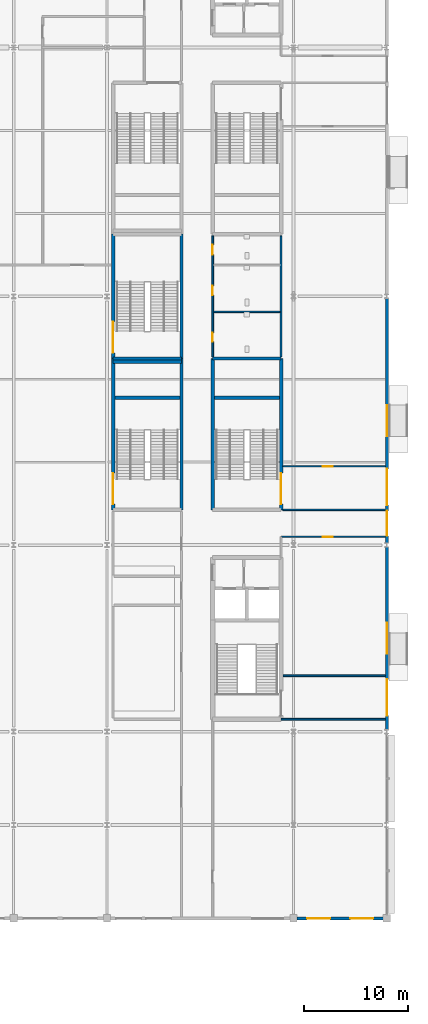
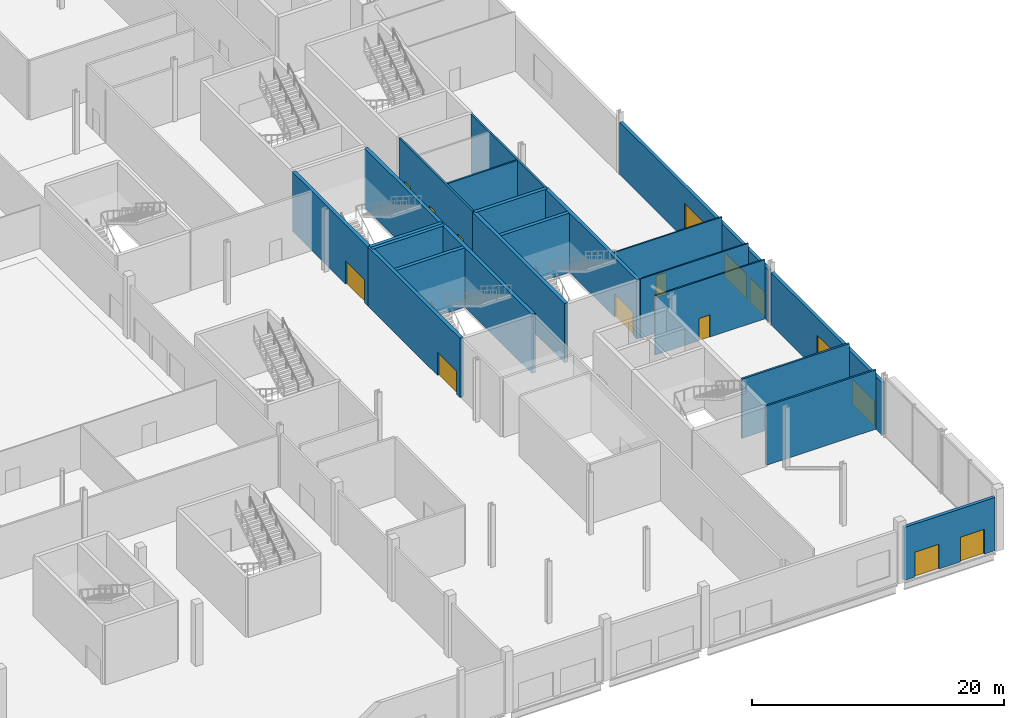
# One storey, part 40 of 84: 22 walls, 13 doors, 2 windows, 15 openings.
"""IFC4 building model written with IfcOpenShell, lengths in metres."""

import ifcopenshell
import ifcopenshell.guid

model = None  # the IFC model being written
_history = None  # IfcOwnerHistory: only IFC2X3 demands one
_inside = {}  # id of a spatial element -> (the spatial element, [elements in it])
_under = {}  # id of a project, library or spatial element -> (it, [spatial elements below it])
_declared = {}  # id of a project -> (the project, [libraries it declares])
_typed = {}  # id of a type object -> (the type object, [elements of that type])
_made_of = {}  # id of a material, layer set ... -> (it, [elements and type objects made of it])


def new_model(schema):
    """Start an empty IFC model of exactly this schema.

    Asked for "IFC4X3", IfcOpenShell would pick the latest addendum, in which some entities
    have other attributes; the version numbers below select the first issue.
    IFC2X3 requires an IfcOwnerHistory on every rooted entity: one is made here for all.
    """
    global model, _history
    if schema == "IFC4X3":
        model = ifcopenshell.file(schema_version=(4, 3, 0, 0))
    else:
        model = ifcopenshell.file(schema=schema)
    _inside.clear()
    _under.clear()
    _declared.clear()
    _typed.clear()
    _made_of.clear()
    _history = None
    if model.schema == "IFC2X3":
        org = make("IfcOrganization", Name="unknown")
        user = make(
            "IfcPersonAndOrganization",
            ThePerson=make("IfcPerson", FamilyName="unknown"),
            TheOrganization=org,
        )
        app = make(
            "IfcApplication",
            ApplicationDeveloper=org,
            Version="unknown",
            ApplicationFullName="unknown",
            ApplicationIdentifier="unknown",
        )
        _history = make(
            "IfcOwnerHistory",
            OwningUser=user,
            OwningApplication=app,
            ChangeAction="ADDED",
            CreationDate=0,
        )
    return model


def make(cls, **values):
    """One entity of the class cls with the attributes given. An attribute that is None is left unset."""
    return model.create_entity(
        cls, **{name: value for name, value in values.items() if value is not None}
    )


def rooted(cls, **values):
    """An entity with a GlobalId (a new one), such as an element, a storey or a relation."""
    return make(cls, GlobalId=ifcopenshell.guid.new(), OwnerHistory=_history, **values)


def si_unit(unit_type, name, prefix=None):
    """IfcSIUnit, for example si_unit("LENGTHUNIT", "METRE", prefix="MILLI")."""
    return make("IfcSIUnit", UnitType=unit_type, Prefix=prefix, Name=name)


def assignment(units):
    """IfcUnitAssignment: the units of a project."""
    return None if units is None else make("IfcUnitAssignment", Units=units)


def point(xyz):
    """IfcCartesianPoint."""
    return None if xyz is None else make("IfcCartesianPoint", Coordinates=xyz)


def direction(xyz):
    """IfcDirection."""
    return None if xyz is None else make("IfcDirection", DirectionRatios=xyz)


def frame(location, z_axis=None, x_axis=None):
    """IfcAxis2Placement3D, a coordinate frame: its origin and axes. An axis left out is left unset."""
    return make(
        "IfcAxis2Placement3D",
        Location=point(location),
        Axis=direction(z_axis),
        RefDirection=direction(x_axis),
    )


def frame_2d(location, x_axis=None):
    """IfcAxis2Placement2D, a coordinate frame in the plane: its origin and x axis."""
    return make(
        "IfcAxis2Placement2D", Location=point(location), RefDirection=direction(x_axis)
    )


def origin():
    """The frame at (0, 0, 0) with its axes left unset."""
    return frame((0.0, 0.0, 0.0))


def place(relative_to, where):
    """IfcLocalPlacement: puts the frame where relative to a parent placement (None: the world)."""
    return make(
        "IfcLocalPlacement", PlacementRelTo=relative_to, RelativePlacement=where
    )


def context(
    kind, dimensions, precision=None, world=None, true_north=None, identifier=None
):
    """IfcGeometricRepresentationContext, for example the 3D "Model" context."""
    return make(
        "IfcGeometricRepresentationContext",
        ContextIdentifier=identifier,
        ContextType=kind,
        CoordinateSpaceDimension=dimensions,
        Precision=precision,
        WorldCoordinateSystem=world,
        TrueNorth=true_north,
    )


def subcontext(parent, identifier, kind, view, scale=None):
    """IfcGeometricRepresentationSubContext, for example "Body" below "Model"."""
    return make(
        "IfcGeometricRepresentationSubContext",
        ContextIdentifier=identifier,
        ContextType=kind,
        ParentContext=parent,
        TargetScale=scale,
        TargetView=view,
    )


def project(units=None, contexts=None):
    """IfcProject with its units and contexts."""
    return rooted(
        "IfcProject",
        Name="project",
        RepresentationContexts=contexts,
        UnitsInContext=assignment(units),
    )


def spatial(cls, under=None, at=None, **own):
    """A site, building, storey or space (cls), placed at a placement, below another one or the project."""
    s = rooted(cls, ObjectPlacement=at, **own)
    if under is not None:
        _under.setdefault(under.id(), (under, []))[1].append(s)
    return s


def profile(cls, at=None, kind="AREA", **sizes):
    """A parametric profile (cls). Its sizes go by their IFC names, for example OverallWidth=200.0."""
    return make(cls, ProfileType=kind, Position=at, **sizes)


def rectangle(**sizes):
    """IfcRectangleProfileDef."""
    return profile("IfcRectangleProfileDef", **sizes)


def extrude(swept, where, along, depth):
    """IfcExtrudedAreaSolid: the profile swept, set in the frame where, extruded along a direction by depth."""
    return make(
        "IfcExtrudedAreaSolid",
        SweptArea=swept,
        Position=where,
        ExtrudedDirection=direction(along),
        Depth=depth,
    )


def shape(context_of_items, identifier, shape_type, items):
    """IfcShapeRepresentation: the items that make up one representation, for example the "Body"."""
    return make(
        "IfcShapeRepresentation",
        ContextOfItems=context_of_items,
        RepresentationIdentifier=identifier,
        RepresentationType=shape_type,
        Items=items,
    )


def material(Name=None, Category=None):
    """IfcMaterial."""
    return make("IfcMaterial", Name=Name, Category=Category)


def layer(
    of_material, thickness, ventilated=None, Name=None, Category=None, Priority=None
):
    """IfcMaterialLayer: one layer of a wall or slab, of a material (None: an air gap)."""
    return make(
        "IfcMaterialLayer",
        Material=of_material,
        LayerThickness=thickness,
        IsVentilated=ventilated,
        Name=Name,
        Category=Category,
        Priority=Priority,
    )


def layer_set(layers, Name=None):
    """IfcMaterialLayerSet."""
    return make("IfcMaterialLayerSet", MaterialLayers=layers, LayerSetName=Name)


def made_of(thing, what):
    """Note that an element or type object is made of a material, layer set ...; save() writes the relation."""
    if what is not None:
        _made_of.setdefault(what.id(), (what, []))[1].append(thing)
    return thing


def type_object(cls, material=None, **own):
    """A type object (cls), such as IfcWallType, which elements share."""
    return made_of(rooted(cls, **own), material)


def element(
    cls,
    number,
    at=None,
    inside=None,
    cuts=None,
    type_object=None,
    material=None,
    context=None,
    identifier="Body",
    shape_type=None,
    held_by="IfcProductDefinitionShape",
    body=None,
    shapes=None,
    **own,
):
    """One element of the class cls, such as IfcWall. Its Tag is "e" and its number.

    at: its placement. inside: the storey or other place that contains it. cuts: it is an
    opening in that element (IfcRelVoidsElement). A single representation is given by context,
    identifier, shape_type and body (its items); several are given by shapes. held_by: the class
    of the entity that holds the representations. save() writes the other relations.
    """
    e = rooted(cls, Tag="e%d" % number, ObjectPlacement=at, **own)
    if body is not None:
        shapes = [shape(context, identifier, shape_type, body)]
    if shapes is not None:
        e.Representation = make(held_by, Representations=shapes)
    if inside is not None:
        _inside.setdefault(inside.id(), (inside, []))[1].append(e)
    if cuts is not None:
        rooted(
            "IfcRelVoidsElement", RelatingBuildingElement=cuts, RelatedOpeningElement=e
        )
    if type_object is not None:
        _typed.setdefault(type_object.id(), (type_object, []))[1].append(e)
    return made_of(e, material)


def fill(opening, filler):
    """IfcRelFillsElement: the door or window that sits in an opening."""
    return rooted(
        "IfcRelFillsElement",
        RelatingOpeningElement=opening,
        RelatedBuildingElement=filler,
    )


def aggregate(whole, parts):
    """IfcRelAggregates: a whole, such as a stair, and the parts it consists of."""
    return rooted("IfcRelAggregates", RelatingObject=whole, RelatedObjects=parts)


def save(model, path):
    """Write the relations noted so far, then the file.

    IfcRelAggregates (storeys below a building ...), IfcRelContainedInSpatialStructure (elements
    in a storey), IfcRelDefinesByType, IfcRelAssociatesMaterial and IfcRelDeclares: one each for
    every whole, place, type object, material and project.
    """
    for whole, parts in _under.values():
        aggregate(whole, parts)
    for where, things in _inside.values():
        rooted(
            "IfcRelContainedInSpatialStructure",
            RelatedElements=things,
            RelatingStructure=where,
        )
    for kind, things in _typed.values():
        rooted("IfcRelDefinesByType", RelatedObjects=things, RelatingType=kind)
    for what, things in _made_of.values():
        rooted("IfcRelAssociatesMaterial", RelatedObjects=things, RelatingMaterial=what)
    for by, libraries in _declared.values():
        rooted("IfcRelDeclares", RelatingContext=by, RelatedDefinitions=libraries)
    model.write(path)


model = new_model("IFC4")

# Units and contexts
model_context = context("Model", 3, precision=1e-05, world=origin(), true_north=direction((0.0, 1.0)))
body_context = subcontext(model_context, "Body", "Model", "MODEL_VIEW")
ifc_project = project(units=[si_unit("LENGTHUNIT", "METRE"), si_unit("AREAUNIT", "SQUARE_METRE"), si_unit("VOLUMEUNIT", "CUBIC_METRE"), si_unit("PLANEANGLEUNIT", "RADIAN"), si_unit("MASSUNIT", "GRAM", prefix="KILO")], contexts=[model_context])

# Site, building, storey
site_placement = place(None, origin())
site = spatial("IfcSite", under=ifc_project, at=site_placement, CompositionType="ELEMENT")
building_placement = place(site_placement, origin())
building = spatial("IfcBuilding", under=site, at=building_placement, Name="Kisiwana Market Hall", CompositionType="ELEMENT")
storey_placement = place(building_placement, origin())
storey = spatial("IfcBuildingStorey", under=building, at=storey_placement, Name="L00", CompositionType="ELEMENT", Elevation=0.0)

# Walls
ifc_material_1 = material(Name="Concrete C40/50", Category="concrete")
ifc_layer_1 = layer(ifc_material_1, 0.320068359375, Name="Reinforced concrete shaft wall")
ifc_layer_set_1 = layer_set([ifc_layer_1], Name="WL-CORE-320")
wall_type_1 = type_object("IfcWallType", Name="WL-CORE-320", PredefinedType="SHEAR", material=ifc_layer_set_1)
wall_1_placement = place(storey_placement, frame((181.199951171875, 54.0, 0.0), z_axis=(0.0, 0.0, 1.0), x_axis=(1.0, 0.0, 0.0)))
element("IfcWall", 1, at=wall_1_placement, inside=storey, type_object=wall_type_1, Name="Core E3 north shear wall W-0404", PredefinedType="SHEAR", context=body_context, shape_type="SweptSolid", body=[
    extrude(rectangle(XDim=6.60009765625, YDim=0.320068359375, at=frame_2d((3.300048828125, 0.0))), origin(), (0.0, 0.0, 1.0), 5.75),
])
wall_2_placement = place(storey_placement, frame((181.199951171875, 39.39990234375, 0.0), z_axis=(0.0, 0.0, 1.0), x_axis=(0.0, 1.0, 0.0)))
element("IfcWall", 2, at=wall_2_placement, inside=storey, type_object=wall_type_1, Name="Core E3 outer shear wall W-0405", PredefinedType="SHEAR", context=body_context, shape_type="SweptSolid", body=[
    extrude(rectangle(XDim=14.60009765625, YDim=0.320068359375, at=frame_2d((7.300048828125, 0.0))), origin(), (0.0, 0.0, 1.0), 5.75),
])

# Wall, opening, door
wall_3_placement = place(storey_placement, frame((187.800048828125, 39.39990234375, 0.0), z_axis=(0.0, 0.0, 1.0), x_axis=(0.0, 1.0, 0.0)))
wall_3 = element("IfcWall", 3, at=wall_3_placement, inside=storey, type_object=wall_type_1, Name="Core E3 corridor shear wall W-0406", PredefinedType="SHEAR", context=body_context, shape_type="SweptSolid", body=[
    extrude(rectangle(XDim=14.60009765625, YDim=0.320068359375, at=frame_2d((7.300048828125, 0.0))), origin(), (0.0, 0.0, 1.0), 5.75),
])
opening_1_placement = place(wall_3_placement, frame((0.550048828125, 0.0, 0.0)))
opening_1 = element("IfcOpeningElement", 4, at=opening_1_placement, cuts=wall_3, Name="Opening DR-L00-021", PredefinedType="OPENING", context=body_context, shape_type="SweptSolid", body=[
    extrude(rectangle(XDim=3.0, YDim=2.25, at=frame_2d((1.5, 1.125))), frame((0.0, 0.171875, 0.0), z_axis=(0.0, -1.0, 0.0), x_axis=(1.0, 0.0, 0.0)), (0.0, 0.0, 1.0), 0.343994140625),
])
ifc_material_2 = material(Name="Steel S275", Category="steel")
door_type_1 = type_object("IfcDoorType", Name="DR-STAIR-FD120-3000", OperationType="DOUBLE_DOOR_SINGLE_SWING", PredefinedType="DOOR", material=ifc_material_2)
door_1_placement = place(opening_1_placement, frame((3.0, 0.0, 0.0), z_axis=(0.0, 0.0, 1.0), x_axis=(-1.0, 0.0, 0.0)))
door_1 = element("IfcDoor", 5, at=door_1_placement, inside=storey, type_object=door_type_1, Name="Escape Stair E3 Fire Door (L00)", OperationType="DOUBLE_DOOR_SINGLE_SWING", OverallHeight=2.25, OverallWidth=3.0, PredefinedType="DOOR", context=body_context, shape_type="SweptSolid", body=[
    extrude(rectangle(XDim=3.0, YDim=2.25, at=frame_2d((1.5, 1.125))), frame((0.0, 0.02490234375, 0.0), z_axis=(0.0, -1.0, 0.0), x_axis=(1.0, 0.0, 0.0)), (0.0, 0.0, 1.0), 0.050048828125),
])
fill(opening_1, door_1)

# Walls
wall_4_placement = place(storey_placement, frame((181.360107421875, 50.219970703125, 0.0), z_axis=(0.0, 0.0, 1.0), x_axis=(1.0, 0.0, 0.0)))
element("IfcWall", 6, at=wall_4_placement, inside=storey, type_object=wall_type_1, Name="Core E3 riser divider shear wall W-0407", PredefinedType="SHEAR", context=body_context, shape_type="SweptSolid", body=[
    extrude(rectangle(XDim=6.27978515625, YDim=0.320068359375, at=frame_2d((3.139892578125, 0.0))), origin(), (0.0, 0.0, 1.0), 5.75),
])
wall_5_placement = place(storey_placement, frame((171.60009765625, 54.0, 0.0), z_axis=(0.0, 0.0, 1.0), x_axis=(1.0, 0.0, 0.0)))
element("IfcWall", 7, at=wall_5_placement, inside=storey, type_object=wall_type_1, Name="Core E7 north shear wall W-0419", PredefinedType="SHEAR", context=body_context, shape_type="SweptSolid", body=[
    extrude(rectangle(XDim=6.599853515625, YDim=0.320068359375, at=frame_2d((3.2998046875, 0.0))), origin(), (0.0, 0.0, 1.0), 5.75),
])

# Wall, opening, door
wall_6_placement = place(storey_placement, frame((171.60009765625, 39.39990234375, 0.0), z_axis=(0.0, 0.0, 1.0), x_axis=(0.0, 1.0, 0.0)))
wall_6 = element("IfcWall", 8, at=wall_6_placement, inside=storey, type_object=wall_type_1, Name="Core E7 corridor shear wall W-0420", PredefinedType="SHEAR", context=body_context, shape_type="SweptSolid", body=[
    extrude(rectangle(XDim=14.60009765625, YDim=0.320068359375, at=frame_2d((7.300048828125, 0.0))), origin(), (0.0, 0.0, 1.0), 5.75),
])
opening_2_placement = place(wall_6_placement, frame((0.550048828125, 0.0, 0.0)))
opening_2 = element("IfcOpeningElement", 9, at=opening_2_placement, cuts=wall_6, Name="Opening DR-L00-024", PredefinedType="OPENING", context=body_context, shape_type="SweptSolid", body=[
    extrude(rectangle(XDim=3.0, YDim=2.25, at=frame_2d((1.5, 1.125))), frame((0.0, 0.171875, 0.0), z_axis=(0.0, -1.0, 0.0), x_axis=(1.0, 0.0, 0.0)), (0.0, 0.0, 1.0), 0.343994140625),
])
door_2_placement = place(opening_2_placement, origin())
door_2 = element("IfcDoor", 10, at=door_2_placement, inside=storey, type_object=door_type_1, Name="Escape Stair E7 Fire Door (L00)", OperationType="DOUBLE_DOOR_SINGLE_SWING", OverallHeight=2.25, OverallWidth=3.0, PredefinedType="DOOR", context=body_context, shape_type="SweptSolid", body=[
    extrude(rectangle(XDim=3.0, YDim=2.25, at=frame_2d((1.5, 1.125))), frame((0.0, 0.02490234375, 0.0), z_axis=(0.0, -1.0, 0.0), x_axis=(1.0, 0.0, 0.0)), (0.0, 0.0, 1.0), 0.050048828125),
])
fill(opening_2, door_2)

# Walls
wall_7_placement = place(storey_placement, frame((178.199951171875, 39.39990234375, 0.0), z_axis=(0.0, 0.0, 1.0), x_axis=(0.0, 1.0, 0.0)))
element("IfcWall", 11, at=wall_7_placement, inside=storey, type_object=wall_type_1, Name="Core E7 outer shear wall W-0421", PredefinedType="SHEAR", context=body_context, shape_type="SweptSolid", body=[
    extrude(rectangle(XDim=14.60009765625, YDim=0.320068359375, at=frame_2d((7.300048828125, 0.0))), origin(), (0.0, 0.0, 1.0), 5.75),
])
wall_8_placement = place(storey_placement, frame((171.760009765625, 50.219970703125, 0.0), z_axis=(0.0, 0.0, 1.0), x_axis=(1.0, 0.0, 0.0)))
element("IfcWall", 12, at=wall_8_placement, inside=storey, type_object=wall_type_1, Name="Core E7 riser divider shear wall W-0422", PredefinedType="SHEAR", context=body_context, shape_type="SweptSolid", body=[
    extrude(rectangle(XDim=6.280029296875, YDim=0.320068359375, at=frame_2d((3.14013671875, 0.0))), origin(), (0.0, 0.0, 1.0), 5.75),
])
wall_9_placement = place(storey_placement, frame((171.60009765625, 53.679931640625, 0.0), z_axis=(0.0, 0.0, 1.0), x_axis=(1.0, 0.0, 0.0)))
element("IfcWall", 13, at=wall_9_placement, inside=storey, type_object=wall_type_1, Name="Core E5 south shear wall W-0453", PredefinedType="SHEAR", context=body_context, shape_type="SweptSolid", body=[
    extrude(rectangle(XDim=6.599853515625, YDim=0.320068359375, at=frame_2d((3.2998046875, 0.0))), origin(), (0.0, 0.0, 1.0), 5.75),
])

# Wall, opening, door
wall_10_placement = place(storey_placement, frame((171.60009765625, 54.0, 0.0), z_axis=(0.0, 0.0, 1.0), x_axis=(0.0, 1.0, 0.0)))
wall_10 = element("IfcWall", 14, at=wall_10_placement, inside=storey, type_object=wall_type_1, Name="Core E5 corridor shear wall W-0455", PredefinedType="SHEAR", context=body_context, shape_type="SweptSolid", body=[
    extrude(rectangle(XDim=12.0, YDim=0.320068359375, at=frame_2d((6.0, 0.0))), origin(), (0.0, 0.0, 1.0), 5.75),
])
opening_3_placement = place(wall_10_placement, frame((0.550048828125, 0.0, 0.0)))
opening_3 = element("IfcOpeningElement", 15, at=opening_3_placement, cuts=wall_10, Name="Opening DR-L00-032", PredefinedType="OPENING", context=body_context, shape_type="SweptSolid", body=[
    extrude(rectangle(XDim=3.0, YDim=2.25, at=frame_2d((1.5, 1.125))), frame((0.0, 0.171875, 0.0), z_axis=(0.0, -1.0, 0.0), x_axis=(1.0, 0.0, 0.0)), (0.0, 0.0, 1.0), 0.343994140625),
])
door_3_placement = place(opening_3_placement, origin())
door_3 = element("IfcDoor", 16, at=door_3_placement, inside=storey, type_object=door_type_1, Name="Escape Stair E5 Fire Door (L00)", OperationType="DOUBLE_DOOR_SINGLE_SWING", OverallHeight=2.25, OverallWidth=3.0, PredefinedType="DOOR", context=body_context, shape_type="SweptSolid", body=[
    extrude(rectangle(XDim=3.0, YDim=2.25, at=frame_2d((1.5, 1.125))), frame((0.0, 0.02490234375, 0.0), z_axis=(0.0, -1.0, 0.0), x_axis=(1.0, 0.0, 0.0)), (0.0, 0.0, 1.0), 0.050048828125),
])
fill(opening_3, door_3)

# Walls
wall_11_placement = place(storey_placement, frame((178.199951171875, 54.0, 0.0), z_axis=(0.0, 0.0, 1.0), x_axis=(0.0, 1.0, 0.0)))
element("IfcWall", 17, at=wall_11_placement, inside=storey, type_object=wall_type_1, Name="Core E5 outer shear wall W-0456", PredefinedType="SHEAR", context=body_context, shape_type="SweptSolid", body=[
    extrude(rectangle(XDim=12.0, YDim=0.320068359375, at=frame_2d((6.0, 0.0))), origin(), (0.0, 0.0, 1.0), 5.75),
])
ifc_material_3 = material(Name="Masonry blockwork", Category="masonry")
ifc_layer_2 = layer(ifc_material_3, 0.169921875, Name="Protected corridor partition")
ifc_layer_set_2 = layer_set([ifc_layer_2], Name="WL-CORR-170")
wall_type_2 = type_object("IfcWallType", Name="WL-CORR-170", PredefinedType="PARTITIONING", material=ifc_layer_set_2)
wall_12_placement = place(storey_placement, frame((187.800048828125, 54.159912109375, 0.0), z_axis=(0.0, 0.0, 1.0), x_axis=(0.0, 1.0, 0.0)))
element("IfcWall", 18, at=wall_12_placement, inside=storey, type_object=wall_type_2, Name="Interior partition W-0562", PredefinedType="PARTITIONING", context=body_context, shape_type="SweptSolid", body=[
    extrude(rectangle(XDim=11.68017578125, YDim=0.169921875, at=frame_2d((5.840087890625, 0.0))), origin(), (0.0, 0.0, 1.0), 5.75),
])

# Wall, openings, doors
wall_13_placement = place(storey_placement, frame((181.199951171875, 54.159912109375, 0.0), z_axis=(0.0, 0.0, 1.0), x_axis=(0.0, 1.0, 0.0)))
wall_13 = element("IfcWall", 19, at=wall_13_placement, inside=storey, type_object=wall_type_2, Name="Interior partition W-0563", PredefinedType="PARTITIONING", context=body_context, shape_type="SweptSolid", body=[
    extrude(rectangle(XDim=11.68017578125, YDim=0.169921875, at=frame_2d((5.840087890625, 0.0))), origin(), (0.0, 0.0, 1.0), 5.75),
])
opening_4_placement = place(wall_13_placement, frame((1.43994140625, 0.0, 0.0)))
opening_4 = element("IfcOpeningElement", 20, at=opening_4_placement, cuts=wall_13, Name="Opening DR-L00-059", PredefinedType="OPENING", context=body_context, shape_type="SweptSolid", body=[
    extrude(rectangle(XDim=0.89990234375, YDim=2.10009765625, at=frame_2d((0.449951171875, 1.050048828125))), frame((0.0, 0.096923828125, 0.0), z_axis=(0.0, -1.0, 0.0), x_axis=(1.0, 0.0, 0.0)), (0.0, 0.0, 1.0), 0.19384765625),
])
opening_5_placement = place(wall_13_placement, frame((5.93994140625, 0.0, 0.0)))
opening_5 = element("IfcOpeningElement", 21, at=opening_5_placement, cuts=wall_13, Name="Opening DR-L00-060", PredefinedType="OPENING", context=body_context, shape_type="SweptSolid", body=[
    extrude(rectangle(XDim=0.89990234375, YDim=2.10009765625, at=frame_2d((0.449951171875, 1.050048828125))), frame((0.0, 0.096923828125, 0.0), z_axis=(0.0, -1.0, 0.0), x_axis=(1.0, 0.0, 0.0)), (0.0, 0.0, 1.0), 0.19384765625),
])
opening_6_placement = place(wall_13_placement, frame((9.840087890625, 0.0, 0.0)))
opening_6 = element("IfcOpeningElement", 22, at=opening_6_placement, cuts=wall_13, Name="Opening DR-L00-061", PredefinedType="OPENING", context=body_context, shape_type="SweptSolid", body=[
    extrude(rectangle(XDim=0.949951171875, YDim=2.10009765625, at=frame_2d((0.47509765625, 1.050048828125))), frame((0.0, 0.096923828125, 0.0), z_axis=(0.0, -1.0, 0.0), x_axis=(1.0, 0.0, 0.0)), (0.0, 0.0, 1.0), 0.19384765625),
])
ifc_material_4 = material(Name="Aluminium alloy 6063-T6", Category="aluminium")
door_type_2 = type_object("IfcDoorType", Name="DR-WC-ACC-950", OperationType="NOTDEFINED", PredefinedType="DOOR", material=ifc_material_4)
door_4_placement = place(opening_6_placement, frame((0.949951171875, 0.0, 0.0), z_axis=(0.0, 0.0, 1.0), x_axis=(-1.0, 0.0, 0.0)))
door_4 = element("IfcDoor", 23, at=door_4_placement, inside=storey, type_object=door_type_2, Name="L00 E Accessible WC Door", OperationType="SINGLE_SWING_LEFT", OverallHeight=2.10009765625, OverallWidth=0.949951171875, PredefinedType="DOOR", context=body_context, shape_type="SweptSolid", body=[
    extrude(rectangle(XDim=0.949951171875, YDim=2.10009765625, at=frame_2d((0.47509765625, 1.050048828125))), frame((0.0, 0.02490234375, 0.0), z_axis=(0.0, -1.0, 0.0), x_axis=(1.0, 0.0, 0.0)), (0.0, 0.0, 1.0), 0.050048828125),
])
fill(opening_6, door_4)
ifc_material_5 = material(Name="Aluminium alloy 6063-T6", Category="aluminium")
door_type_3 = type_object("IfcDoorType", Name="DR-WC-STD-900", OperationType="NOTDEFINED", PredefinedType="DOOR", material=ifc_material_5)
door_5_placement = place(opening_4_placement, frame((0.89990234375, 0.0, 0.0), z_axis=(0.0, 0.0, 1.0), x_axis=(-1.0, 0.0, 0.0)))
door_5 = element("IfcDoor", 24, at=door_5_placement, inside=storey, type_object=door_type_3, Name="L00 E Male Toilet Door", OperationType="SINGLE_SWING_RIGHT", OverallHeight=2.10009765625, OverallWidth=0.89990234375, PredefinedType="DOOR", context=body_context, shape_type="SweptSolid", body=[
    extrude(rectangle(XDim=0.89990234375, YDim=2.10009765625, at=frame_2d((0.449951171875, 1.050048828125))), frame((0.0, 0.02490234375, 0.0), z_axis=(0.0, -1.0, 0.0), x_axis=(1.0, 0.0, 0.0)), (0.0, 0.0, 1.0), 0.050048828125),
])
fill(opening_4, door_5)
door_6_placement = place(opening_5_placement, frame((0.89990234375, 0.0, 0.0), z_axis=(0.0, 0.0, 1.0), x_axis=(-1.0, 0.0, 0.0)))
door_6 = element("IfcDoor", 25, at=door_6_placement, inside=storey, type_object=door_type_3, Name="L00 E Female Toilet Door", OperationType="SINGLE_SWING_LEFT", OverallHeight=2.10009765625, OverallWidth=0.89990234375, PredefinedType="DOOR", context=body_context, shape_type="SweptSolid", body=[
    extrude(rectangle(XDim=0.89990234375, YDim=2.10009765625, at=frame_2d((0.449951171875, 1.050048828125))), frame((0.0, 0.02490234375, 0.0), z_axis=(0.0, -1.0, 0.0), x_axis=(1.0, 0.0, 0.0)), (0.0, 0.0, 1.0), 0.050048828125),
])
fill(opening_5, door_6)

# Walls
wall_14_placement = place(storey_placement, frame((187.800048828125, 19.199951171875, 0.0), z_axis=(0.0, 0.0, 1.0), x_axis=(1.0, 0.0, 0.0)))
element("IfcWall", 26, at=wall_14_placement, inside=storey, type_object=wall_type_2, Name="Interior partition W-0568", PredefinedType="PARTITIONING", context=body_context, shape_type="SweptSolid", body=[
    extrude(rectangle(XDim=10.054931640625, YDim=0.169921875, at=frame_2d((5.02734375, 0.0))), origin(), (0.0, 0.0, 1.0), 5.75),
])
wall_15_placement = place(storey_placement, frame((188.0, 23.39990234375, 0.0), z_axis=(0.0, 0.0, 1.0), x_axis=(1.0, 0.0, 0.0)))
element("IfcWall", 27, at=wall_15_placement, inside=storey, type_object=wall_type_2, Name="Interior partition W-0670", PredefinedType="PARTITIONING", context=body_context, shape_type="SweptSolid", body=[
    extrude(rectangle(XDim=9.85498046875, YDim=0.169921875, at=frame_2d((4.927490234375, 0.0))), origin(), (0.0, 0.0, 1.0), 5.75),
])

# Wall, openings, doors
ifc_material_6 = material(Name="Masonry blockwork", Category="masonry")
ifc_layer_3 = layer(ifc_material_6, 0.139892578125, Name="Rendered masonry outer leaf")
ifc_material_7 = material(Name="Mineral wool insulation")
ifc_layer_4 = layer(ifc_material_7, 0.074951171875, Name="Mineral wool cavity insulation")
ifc_material_8 = material(Name="Gypsum plasterboard")
ifc_layer_5 = layer(ifc_material_8, 0.074951171875, Name="Calcium silicate inner lining")
ifc_layer_set_3 = layer_set([ifc_layer_3, ifc_layer_4, ifc_layer_5], Name="WL-EXT-MAS-290")
wall_type_3 = type_object("IfcWallType", Name="WL-EXT-MAS-290", PredefinedType="STANDARD", material=ifc_layer_set_3)
wall_16_placement = place(storey_placement, frame((189.342041015625, 0.0, 0.0), z_axis=(0.0, 0.0, 1.0), x_axis=(1.0, 0.0, 0.0)))
wall_16 = element("IfcWall", 28, at=wall_16_placement, inside=storey, type_object=wall_type_3, Name="Exterior wall W-0502", PredefinedType="STANDARD", context=body_context, shape_type="SweptSolid", body=[
    extrude(rectangle(XDim=8.31591796875, YDim=0.2900390625, at=frame_2d((4.157958984375, 0.0))), origin(), (0.0, 0.0, 1.0), 5.1376953125),
])
opening_7_placement = place(wall_16_placement, frame((0.97900390625, 0.0, 0.0)))
opening_7 = element("IfcOpeningElement", 29, at=opening_7_placement, cuts=wall_16, Name="Opening DR-L00-827", PredefinedType="OPENING", context=body_context, shape_type="SweptSolid", body=[
    extrude(rectangle(XDim=2.199951171875, YDim=2.39990234375, at=frame_2d((1.10009765625, 1.199951171875))), frame((0.0, 0.156982421875, 0.0), z_axis=(0.0, -1.0, 0.0), x_axis=(1.0, 0.0, 0.0)), (0.0, 0.0, 1.0), 0.31396484375),
])
opening_8_placement = place(wall_16_placement, frame((5.136962890625, 0.0, 0.0)))
opening_8 = element("IfcOpeningElement", 30, at=opening_8_placement, cuts=wall_16, Name="Opening DR-L00-828", PredefinedType="OPENING", context=body_context, shape_type="SweptSolid", body=[
    extrude(rectangle(XDim=2.199951171875, YDim=2.39990234375, at=frame_2d((1.10009765625, 1.199951171875))), frame((0.0, 0.156982421875, 0.0), z_axis=(0.0, -1.0, 0.0), x_axis=(1.0, 0.0, 0.0)), (0.0, 0.0, 1.0), 0.31396484375),
])
ifc_material_9 = material(Name="Aluminium alloy 6063-T6", Category="aluminium")
door_type_4 = type_object("IfcDoorType", Name="DR-EXT-EX-2200", OperationType="DOUBLE_DOOR_SINGLE_SWING", PredefinedType="DOOR", material=ifc_material_9)
door_7_placement = place(opening_7_placement, frame((2.199951171875, 0.0, 0.0), z_axis=(0.0, 0.0, 1.0), x_axis=(-1.0, 0.0, 0.0)))
door_7 = element("IfcDoor", 31, at=door_7_placement, inside=storey, type_object=door_type_4, Name="Ground avenue pedestrian final exit door DR-L00-827", OperationType="DOUBLE_DOOR_SINGLE_SWING", OverallHeight=2.39990234375, OverallWidth=2.199951171875, PredefinedType="DOOR", context=body_context, shape_type="SweptSolid", body=[
    extrude(rectangle(XDim=2.199951171875, YDim=2.39990234375, at=frame_2d((1.10009765625, 1.199951171875))), frame((0.0, 0.02490234375, 0.0), z_axis=(0.0, -1.0, 0.0), x_axis=(1.0, 0.0, 0.0)), (0.0, 0.0, 1.0), 0.050048828125),
])
fill(opening_7, door_7)
door_8_placement = place(opening_8_placement, frame((2.199951171875, 0.0, 0.0), z_axis=(0.0, 0.0, 1.0), x_axis=(-1.0, 0.0, 0.0)))
door_8 = element("IfcDoor", 32, at=door_8_placement, inside=storey, type_object=door_type_4, Name="Ground avenue pedestrian final exit door DR-L00-828", OperationType="DOUBLE_DOOR_SINGLE_SWING", OverallHeight=2.39990234375, OverallWidth=2.199951171875, PredefinedType="DOOR", context=body_context, shape_type="SweptSolid", body=[
    extrude(rectangle(XDim=2.199951171875, YDim=2.39990234375, at=frame_2d((1.10009765625, 1.199951171875))), frame((0.0, 0.02490234375, 0.0), z_axis=(0.0, -1.0, 0.0), x_axis=(1.0, 0.0, 0.0)), (0.0, 0.0, 1.0), 0.050048828125),
])
fill(opening_8, door_8)

# Wall, openings, door, window
wall_17_placement = place(storey_placement, frame((198.0, 18.198486328125, 0.0), z_axis=(0.0, 0.0, 1.0), x_axis=(0.0, 1.0, 0.0)))
wall_17 = element("IfcWall", 33, at=wall_17_placement, inside=storey, type_object=wall_type_3, Name="Exterior wall W-0523", PredefinedType="STANDARD", context=body_context, shape_type="SweptSolid", body=[
    extrude(rectangle(XDim=17.60302734375, YDim=0.2900390625, at=frame_2d((8.801513671875, 0.0))), origin(), (0.0, 0.0, 1.0), 5.06640625),
])
opening_9_placement = place(wall_17_placement, frame((1.3515625, 0.0, 0.0)))
opening_9 = element("IfcOpeningElement", 34, at=opening_9_placement, cuts=wall_17, Name="Opening DR-L00-870", PredefinedType="OPENING", context=body_context, shape_type="SweptSolid", body=[
    extrude(rectangle(XDim=3.5, YDim=2.39990234375, at=frame_2d((1.75, 1.199951171875))), frame((0.0, 0.156982421875, 0.0), z_axis=(0.0, -1.0, 0.0), x_axis=(1.0, 0.0, 0.0)), (0.0, 0.0, 1.0), 0.31396484375),
])
opening_10_placement = place(wall_17_placement, frame((7.301513671875, 0.0, 0.85009765625)))
opening_10 = element("IfcOpeningElement", 35, at=opening_10_placement, cuts=wall_17, Name="Opening WN-06", PredefinedType="OPENING", context=body_context, shape_type="SweptSolid", body=[
    extrude(rectangle(XDim=3.0, YDim=2.60009765625, at=frame_2d((1.5, 1.300048828125))), frame((0.0, 0.156982421875, 0.0), z_axis=(0.0, -1.0, 0.0), x_axis=(1.0, 0.0, 0.0)), (0.0, 0.0, 1.0), 0.31396484375),
])
ifc_material_10 = material(Name="Aluminium alloy 6063-T6", Category="aluminium")
door_type_5 = type_object("IfcDoorType", Name="DR-EXT-EX-3500", OperationType="DOUBLE_DOOR_SINGLE_SWING", PredefinedType="DOOR", material=ifc_material_10)
door_9_placement = place(opening_9_placement, frame((3.5, 0.0, 0.0), z_axis=(0.0, 0.0, 1.0), x_axis=(-1.0, 0.0, 0.0)))
door_9 = element("IfcDoor", 36, at=door_9_placement, inside=storey, type_object=door_type_5, Name="Escape passage final exit door DR-L00-870", OperationType="DOUBLE_DOOR_SINGLE_SWING", OverallHeight=2.39990234375, OverallWidth=3.5, PredefinedType="DOOR", context=body_context, shape_type="SweptSolid", body=[
    extrude(rectangle(XDim=3.5, YDim=2.39990234375, at=frame_2d((1.75, 1.199951171875))), frame((0.0, 0.02490234375, 0.0), z_axis=(0.0, -1.0, 0.0), x_axis=(1.0, 0.0, 0.0)), (0.0, 0.0, 1.0), 0.050048828125),
])
fill(opening_9, door_9)
ifc_material_11 = material(Name="Double-glazed solar-control low-E IGU", Category="glass")
window_type = type_object("IfcWindowType", Name="WN-POD-3000x2600", PartitioningType="SINGLE_PANEL", PredefinedType="WINDOW", material=ifc_material_11)
window_1_placement = place(opening_10_placement, origin())
window_1 = element("IfcWindow", 37, at=window_1_placement, inside=storey, type_object=window_type, Name="Exterior window WN-010", OverallHeight=2.60009765625, OverallWidth=3.0, PartitioningType="SINGLE_PANEL", PredefinedType="WINDOW", context=body_context, shape_type="SweptSolid", body=[
    extrude(rectangle(XDim=3.0, YDim=2.60009765625, at=frame_2d((1.5, 1.300048828125))), frame((0.0, 0.030029296875, 0.0), z_axis=(0.0, -1.0, 0.0), x_axis=(1.0, 0.0, 0.0)), (0.0, 0.0, 1.0), 0.06005859375),
])
fill(opening_10, window_1)

# Wall, openings, doors, window
wall_18_placement = place(storey_placement, frame((198.0, 36.198486328125, 0.0), z_axis=(0.0, 0.0, 1.0), x_axis=(0.0, 1.0, 0.0)))
wall_18 = element("IfcWall", 38, at=wall_18_placement, inside=storey, type_object=wall_type_3, Name="Exterior wall W-0524", PredefinedType="STANDARD", context=body_context, shape_type="SweptSolid", body=[
    extrude(rectangle(XDim=23.60302734375, YDim=0.2900390625, at=frame_2d((11.801513671875, 0.0))), origin(), (0.0, 0.0, 1.0), 5.06640625),
])
opening_11_placement = place(wall_18_placement, frame((0.701416015625, 0.0, 0.0)))
opening_11 = element("IfcOpeningElement", 39, at=opening_11_placement, cuts=wall_18, Name="Opening DR-L00-871", PredefinedType="OPENING", context=body_context, shape_type="SweptSolid", body=[
    extrude(rectangle(XDim=2.39990234375, YDim=2.39990234375, at=frame_2d((1.199951171875, 1.199951171875))), frame((0.0, 0.156982421875, 0.0), z_axis=(0.0, -1.0, 0.0), x_axis=(1.0, 0.0, 0.0)), (0.0, 0.0, 1.0), 0.31396484375),
])
opening_12_placement = place(wall_18_placement, frame((3.651611328125, 0.0, 0.0)))
opening_12 = element("IfcOpeningElement", 40, at=opening_12_placement, cuts=wall_18, Name="Opening DR-L00-872", PredefinedType="OPENING", context=body_context, shape_type="SweptSolid", body=[
    extrude(rectangle(XDim=3.5, YDim=2.39990234375, at=frame_2d((1.75, 1.199951171875))), frame((0.0, 0.156982421875, 0.0), z_axis=(0.0, -1.0, 0.0), x_axis=(1.0, 0.0, 0.0)), (0.0, 0.0, 1.0), 0.31396484375),
])
opening_13_placement = place(wall_18_placement, frame((10.301513671875, 0.0, 0.85009765625)))
opening_13 = element("IfcOpeningElement", 41, at=opening_13_placement, cuts=wall_18, Name="Opening WN-06", PredefinedType="OPENING", context=body_context, shape_type="SweptSolid", body=[
    extrude(rectangle(XDim=3.0, YDim=2.60009765625, at=frame_2d((1.5, 1.300048828125))), frame((0.0, 0.156982421875, 0.0), z_axis=(0.0, -1.0, 0.0), x_axis=(1.0, 0.0, 0.0)), (0.0, 0.0, 1.0), 0.31396484375),
])
ifc_material_12 = material(Name="Aluminium alloy 6063-T6", Category="aluminium")
door_type_6 = type_object("IfcDoorType", Name="DR-EXT-EX-2400", OperationType="DOUBLE_DOOR_SINGLE_SWING", PredefinedType="DOOR", material=ifc_material_12)
door_10_placement = place(opening_11_placement, frame((2.39990234375, 0.0, 0.0), z_axis=(0.0, 0.0, 1.0), x_axis=(-1.0, 0.0, 0.0)))
door_10 = element("IfcDoor", 42, at=door_10_placement, inside=storey, type_object=door_type_6, Name="Access corridor final exit door DR-L00-871", OperationType="DOUBLE_DOOR_SINGLE_SWING", OverallHeight=2.39990234375, OverallWidth=2.39990234375, PredefinedType="DOOR", context=body_context, shape_type="SweptSolid", body=[
    extrude(rectangle(XDim=2.39990234375, YDim=2.39990234375, at=frame_2d((1.199951171875, 1.199951171875))), frame((0.0, 0.02490234375, 0.0), z_axis=(0.0, -1.0, 0.0), x_axis=(1.0, 0.0, 0.0)), (0.0, 0.0, 1.0), 0.050048828125),
])
fill(opening_11, door_10)
door_11_placement = place(opening_12_placement, frame((3.5, 0.0, 0.0), z_axis=(0.0, 0.0, 1.0), x_axis=(-1.0, 0.0, 0.0)))
door_11 = element("IfcDoor", 43, at=door_11_placement, inside=storey, type_object=door_type_5, Name="Escape passage final exit door DR-L00-872", OperationType="DOUBLE_DOOR_SINGLE_SWING", OverallHeight=2.39990234375, OverallWidth=3.5, PredefinedType="DOOR", context=body_context, shape_type="SweptSolid", body=[
    extrude(rectangle(XDim=3.5, YDim=2.39990234375, at=frame_2d((1.75, 1.199951171875))), frame((0.0, 0.02490234375, 0.0), z_axis=(0.0, -1.0, 0.0), x_axis=(1.0, 0.0, 0.0)), (0.0, 0.0, 1.0), 0.050048828125),
])
fill(opening_12, door_11)
window_2_placement = place(opening_13_placement, origin())
window_2 = element("IfcWindow", 44, at=window_2_placement, inside=storey, type_object=window_type, Name="Exterior window WN-011", OverallHeight=2.60009765625, OverallWidth=3.0, PartitioningType="SINGLE_PANEL", PredefinedType="WINDOW", context=body_context, shape_type="SweptSolid", body=[
    extrude(rectangle(XDim=3.0, YDim=2.60009765625, at=frame_2d((1.5, 1.300048828125))), frame((0.0, 0.030029296875, 0.0), z_axis=(0.0, -1.0, 0.0), x_axis=(1.0, 0.0, 0.0)), (0.0, 0.0, 1.0), 0.06005859375),
])
fill(opening_13, window_2)

# Wall, opening, door
ifc_material_13 = material(Name="Gypsum plasterboard")
ifc_layer_6 = layer(ifc_material_13, 0.125, Name="Double gypsum board + acoustic stud")
ifc_layer_set_4 = layer_set([ifc_layer_6], Name="WL-OFF-125")
wall_type_4 = type_object("IfcWallType", Name="WL-OFF-125", PredefinedType="PARTITIONING", material=ifc_layer_set_4)
wall_19_placement = place(storey_placement, frame((187.800048828125, 36.800048828125, 0.0), z_axis=(0.0, 0.0, 1.0), x_axis=(1.0, 0.0, 0.0)))
wall_19 = element("IfcWall", 45, at=wall_19_placement, inside=storey, type_object=wall_type_4, Name="Interior partition W-0570", PredefinedType="PARTITIONING", context=body_context, shape_type="SweptSolid", body=[
    extrude(rectangle(XDim=10.054931640625, YDim=0.125, at=frame_2d((5.02734375, 0.0))), origin(), (0.0, 0.0, 1.0), 5.75),
])
opening_14_placement = place(wall_19_placement, frame((4.0, 0.0, 0.0)))
opening_14 = element("IfcOpeningElement", 46, at=opening_14_placement, cuts=wall_19, Name="Opening DR-L00-062", PredefinedType="OPENING", context=body_context, shape_type="SweptSolid", body=[
    extrude(rectangle(XDim=1.0, YDim=2.14990234375, at=frame_2d((0.5, 1.074951171875))), frame((0.0, 0.074462890625, 0.0), z_axis=(0.0, -1.0, 0.0), x_axis=(1.0, 0.0, 0.0)), (0.0, 0.0, 1.0), 0.14892578125),
])
ifc_material_14 = material(Name="Steel S275", Category="steel")
door_type_7 = type_object("IfcDoorType", Name="DR-OFF-FD30-1000", OperationType="NOTDEFINED", PredefinedType="DOOR", material=ifc_material_14)
door_12_placement = place(opening_14_placement, frame((1.0, 0.0, 0.0), z_axis=(0.0, 0.0, 1.0), x_axis=(-1.0, 0.0, 0.0)))
door_12 = element("IfcDoor", 47, at=door_12_placement, inside=storey, type_object=door_type_7, Name="L00 E Municipal Office South Door", OperationType="SINGLE_SWING_RIGHT", OverallHeight=2.14990234375, OverallWidth=1.0, PredefinedType="DOOR", context=body_context, shape_type="SweptSolid", body=[
    extrude(rectangle(XDim=1.0, YDim=2.14990234375, at=frame_2d((0.5, 1.074951171875))), frame((0.0, 0.02490234375, 0.0), z_axis=(0.0, -1.0, 0.0), x_axis=(1.0, 0.0, 0.0)), (0.0, 0.0, 1.0), 0.050048828125),
])
fill(opening_14, door_12)

# Wall
wall_20_placement = place(storey_placement, frame((187.9599609375, 39.39990234375, 0.0), z_axis=(0.0, 0.0, 1.0), x_axis=(1.0, 0.0, 0.0)))
element("IfcWall", 48, at=wall_20_placement, inside=storey, type_object=wall_type_4, Name="Interior partition W-0571", PredefinedType="PARTITIONING", context=body_context, shape_type="SweptSolid", body=[
    extrude(rectangle(XDim=9.89501953125, YDim=0.125, at=frame_2d((4.947509765625, 0.0))), origin(), (0.0, 0.0, 1.0), 5.75),
])

# Wall, opening, door
wall_21_placement = place(storey_placement, frame((187.9599609375, 43.60009765625, 0.0), z_axis=(0.0, 0.0, 1.0), x_axis=(1.0, 0.0, 0.0)))
wall_21 = element("IfcWall", 49, at=wall_21_placement, inside=storey, type_object=wall_type_4, Name="Interior partition W-0651", PredefinedType="PARTITIONING", context=body_context, shape_type="SweptSolid", body=[
    extrude(rectangle(XDim=9.89501953125, YDim=0.125, at=frame_2d((4.947509765625, 0.0))), origin(), (0.0, 0.0, 1.0), 5.75),
])
opening_15_placement = place(wall_21_placement, frame((3.840087890625, 0.0, 0.0)))
opening_15 = element("IfcOpeningElement", 50, at=opening_15_placement, cuts=wall_21, Name="Opening DR-L00-106", PredefinedType="OPENING", context=body_context, shape_type="SweptSolid", body=[
    extrude(rectangle(XDim=1.0, YDim=2.14990234375, at=frame_2d((0.5, 1.074951171875))), frame((0.0, 0.074462890625, 0.0), z_axis=(0.0, -1.0, 0.0), x_axis=(1.0, 0.0, 0.0)), (0.0, 0.0, 1.0), 0.14892578125),
])
door_13_placement = place(opening_15_placement, origin())
door_13 = element("IfcDoor", 51, at=door_13_placement, inside=storey, type_object=door_type_7, Name="L00 E Municipal Office Central South Door", OperationType="SINGLE_SWING_LEFT", OverallHeight=2.14990234375, OverallWidth=1.0, PredefinedType="DOOR", context=body_context, shape_type="SweptSolid", body=[
    extrude(rectangle(XDim=1.0, YDim=2.14990234375, at=frame_2d((0.5, 1.074951171875))), frame((0.0, 0.02490234375, 0.0), z_axis=(0.0, -1.0, 0.0), x_axis=(1.0, 0.0, 0.0)), (0.0, 0.0, 1.0), 0.050048828125),
])
fill(opening_15, door_13)

# Wall
ifc_material_15 = material(Name="Masonry blockwork", Category="masonry")
ifc_layer_7 = layer(ifc_material_15, 0.14990234375, Name="Water-resistant sanitary block wall")
ifc_layer_set_5 = layer_set([ifc_layer_7], Name="WL-WET-150")
wall_type_5 = type_object("IfcWallType", Name="WL-WET-150", PredefinedType="PARTITIONING", material=ifc_layer_set_5)
wall_22_placement = place(storey_placement, frame((181.284912109375, 58.5, 0.0), z_axis=(0.0, 0.0, 1.0), x_axis=(1.0, 0.0, 0.0)))
element("IfcWall", 52, at=wall_22_placement, inside=storey, type_object=wall_type_5, Name="Interior partition W-0564", PredefinedType="PARTITIONING", context=body_context, shape_type="SweptSolid", body=[
    extrude(rectangle(XDim=6.43017578125, YDim=0.14990234375, at=frame_2d((3.215087890625, 0.0))), origin(), (0.0, 0.0, 1.0), 5.75),
])

save(model, "model.ifc")
